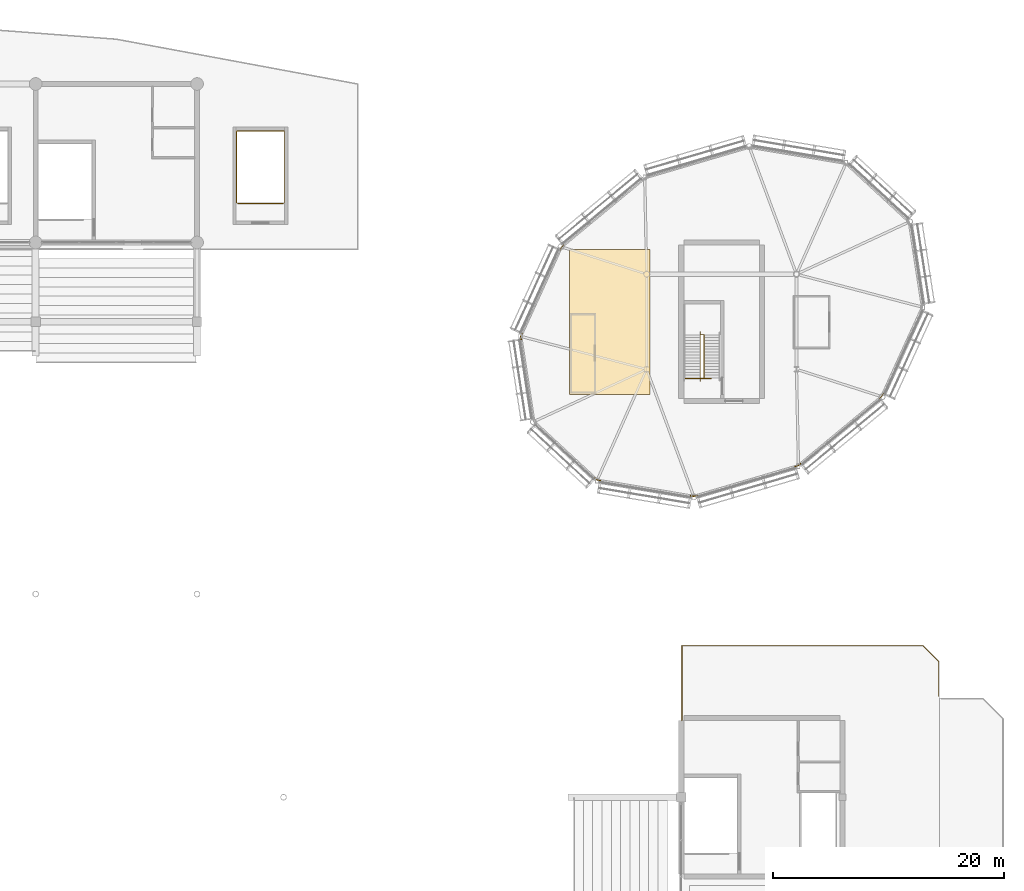
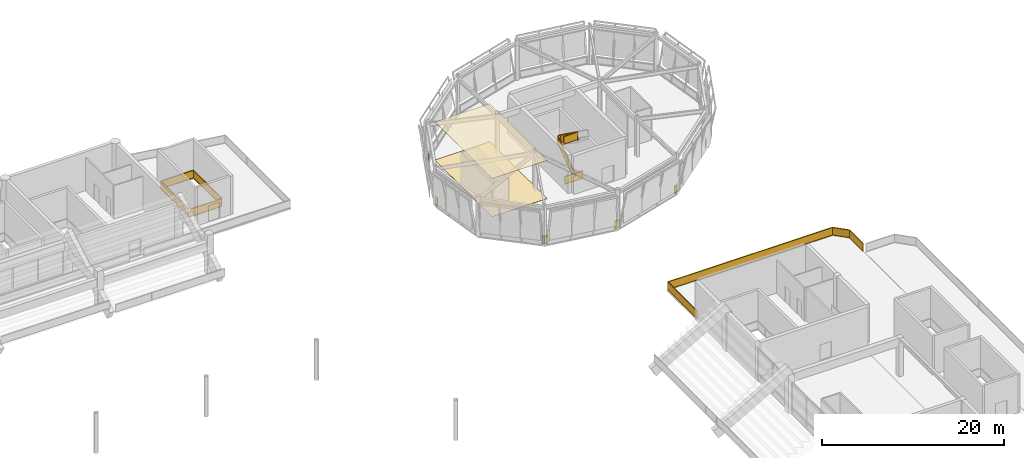
# One storey, part 89 of 90: 11 railings, 2 coverings.
"""IFC4 building model written with IfcOpenShell, lengths in metres."""

from ifc_helpers import new_model, si_unit, direction, frame, origin, origin_2d, place, context, subcontext, project, spatial, polyline, rectangle, outline, extrude, material, layer, layer_set, type_object, element, save


model = new_model("IFC4")

# Units and contexts
model_context = context("Model", 3, precision=1e-05, world=origin(), true_north=direction((0.0, 1.0)))
body_context = subcontext(model_context, "Body", "Model", "MODEL_VIEW")
ifc_project = project(units=[si_unit("LENGTHUNIT", "METRE"), si_unit("AREAUNIT", "SQUARE_METRE"), si_unit("VOLUMEUNIT", "CUBIC_METRE"), si_unit("PLANEANGLEUNIT", "RADIAN"), si_unit("MASSUNIT", "GRAM", prefix="KILO")], contexts=[model_context])

# Site, building, storey
site_placement = place(None, origin())
site = spatial("IfcSite", under=ifc_project, at=site_placement, CompositionType="ELEMENT")
building_placement = place(site_placement, origin())
building = spatial("IfcBuilding", under=site, at=building_placement, Name="Linyun Crest Stadium", CompositionType="ELEMENT")
storey_placement = place(building_placement, frame((0.0, 0.0, 21.0)))
storey = spatial("IfcBuildingStorey", under=building, at=storey_placement, Name="L05", CompositionType="ELEMENT", Elevation=21.0)

# Coverings
ifc_material_1 = material(Name="Anodized aluminium baffle acoustic ceiling", Category="aluminium")
ifc_layer_1 = layer(ifc_material_1, 0.030029296875)
ifc_layer_set_1 = layer_set([ifc_layer_1], Name="Anodized aluminium baffle acoustic ceiling")
covering_type_1 = type_object("IfcCoveringType", Name="CLG02", PredefinedType="CEILING", material=ifc_layer_set_1)
covering_1_placement = place(storey_placement, frame((0.0, 0.0, 5.1201171875)))
element("IfcCovering", 1, at=covering_1_placement, inside=storey, type_object=covering_type_1, Name="Suspended acoustic ceiling CLG02 54", PredefinedType="CEILING", context=body_context, shape_type="SweptSolid", body=[
    extrude(outline(polyline([(60.300048828125, 78.300048828125), (67.300048828125, 78.300048828125), (67.300048828125, 90.89990234375), (60.300048828125, 90.89990234375), (60.300048828125, 78.300048828125)])), origin(), (0.0, 0.0, 1.0), 0.02978515625),
])
ifc_material_2 = material(Name="Terrazzo concourse and hospitality floor finish")
ifc_layer_2 = layer(ifc_material_2, 0.02197265625)
ifc_layer_set_2 = layer_set([ifc_layer_2], Name="Terrazzo concourse and hospitality floor finish")
covering_type_2 = type_object("IfcCoveringType", Name="FLR02", PredefinedType="FLOORING", material=ifc_layer_set_2)
covering_2_placement = place(storey_placement, origin())
element("IfcCovering", 2, at=covering_2_placement, inside=storey, type_object=covering_type_2, Name="Terrazzo flooring FLR02 53", PredefinedType="FLOORING", context=body_context, shape_type="SweptSolid", body=[
    extrude(outline(polyline([(60.300048828125, 78.300048828125), (67.300048828125, 78.300048828125), (67.300048828125, 90.89990234375), (60.300048828125, 90.89990234375), (60.300048828125, 78.300048828125)])), origin(), (0.0, 0.0, 1.0), 0.02197265625),
])

# Railings
ifc_material_3 = material(Name="Galvanized and powder-coated steel bowl safety barrier", Category="steel")
railing_type_1 = type_object("IfcRailingType", Name="GR02", PredefinedType="GUARDRAIL", material=ifc_material_3)
railing_1_placement = place(storey_placement, frame((70.06005859375, 50.02490234375, 0.0)))
element("IfcRailing", 3, at=railing_1_placement, inside=storey, type_object=railing_type_1, Name="Slab edge balustrade GR02 180", PredefinedType="GUARDRAIL", context=body_context, shape_type="SweptSolid", body=[
    extrude(rectangle(XDim=0.06005859375, YDim=0.06005859375, at=origin_2d()), frame((0.0, 0.0, 1.090087890625), z_axis=(0.0, 1.0, 0.0), x_axis=(-1.0, 0.0, 0.0)), (0.0, 0.0, 1.0), 6.5),
    extrude(rectangle(XDim=0.030029296875, YDim=1.0, at=origin_2d()), frame((0.0, 0.0, 0.56005859375), z_axis=(0.0, 1.0, 0.0), x_axis=(-1.0, 0.0, 0.0)), (0.0, 0.0, 1.0), 6.5),
    extrude(rectangle(XDim=0.06005859375, YDim=0.06005859375, at=origin_2d()), frame((0.0, 0.0, 0.030029296875), z_axis=(0.0, 1.0, 0.0), x_axis=(-1.0, 0.0, 0.0)), (0.0, 0.0, 1.0), 6.5),
    extrude(rectangle(XDim=0.06005859375, YDim=0.06005859375, at=origin_2d()), frame((0.0, 6.5, 1.090087890625), z_axis=(1.0, 0.0, 0.0), x_axis=(0.0, 1.0, 0.0)), (0.0, 0.0, 1.0), 20.9150390625),
    extrude(rectangle(XDim=0.030029296875, YDim=1.0, at=origin_2d()), frame((0.0, 6.5, 0.56005859375), z_axis=(1.0, 0.0, 0.0), x_axis=(0.0, 1.0, 0.0)), (0.0, 0.0, 1.0), 20.9150390625),
    extrude(rectangle(XDim=0.06005859375, YDim=0.06005859375, at=origin_2d()), frame((0.0, 6.5, 0.030029296875), z_axis=(1.0, 0.0, 0.0), x_axis=(0.0, 1.0, 0.0)), (0.0, 0.0, 1.0), 20.9150390625),
    extrude(rectangle(XDim=0.06005859375, YDim=0.06005859375, at=origin_2d()), frame((20.9150390625, 6.5, 1.090087890625), z_axis=(0.707106781187, -0.707106781187, 0.0), x_axis=(0.707106781187, 0.707106781187, 0.0)), (0.0, 0.0, 1.0), 1.930419921875),
    extrude(rectangle(XDim=0.030029296875, YDim=1.0, at=origin_2d()), frame((20.9150390625, 6.5, 0.56005859375), z_axis=(0.707106781187, -0.707106781187, 0.0), x_axis=(0.707106781187, 0.707106781187, 0.0)), (0.0, 0.0, 1.0), 1.930419921875),
    extrude(rectangle(XDim=0.06005859375, YDim=0.06005859375, at=origin_2d()), frame((20.9150390625, 6.5, 0.030029296875), z_axis=(0.707106781187, -0.707106781187, 0.0), x_axis=(0.707106781187, 0.707106781187, 0.0)), (0.0, 0.0, 1.0), 1.930419921875),
    extrude(rectangle(XDim=0.06005859375, YDim=0.06005859375, at=origin_2d()), frame((22.280029296875, 5.135009765625, 1.090087890625), z_axis=(0.0, -1.0, 0.0), x_axis=(1.0, 0.0, 0.0)), (0.0, 0.0, 1.0), 2.9990234375),
    extrude(rectangle(XDim=0.030029296875, YDim=1.0, at=origin_2d()), frame((22.280029296875, 5.135009765625, 0.56005859375), z_axis=(0.0, -1.0, 0.0), x_axis=(1.0, 0.0, 0.0)), (0.0, 0.0, 1.0), 2.9990234375),
    extrude(rectangle(XDim=0.06005859375, YDim=0.06005859375, at=origin_2d()), frame((22.280029296875, 5.135009765625, 0.030029296875), z_axis=(0.0, -1.0, 0.0), x_axis=(1.0, 0.0, 0.0)), (0.0, 0.0, 1.0), 2.9990234375),
    extrude(rectangle(XDim=0.050048828125, YDim=0.050048828125, at=origin_2d()), origin(), (0.0, 0.0, 1.0), 1.1201171875),
    extrude(rectangle(XDim=0.050048828125, YDim=0.050048828125, at=origin_2d()), frame((0.0, 3.25, 0.0)), (0.0, 0.0, 1.0), 1.1201171875),
    extrude(rectangle(XDim=0.050048828125, YDim=0.050048828125, at=origin_2d()), frame((0.0, 6.5, 0.0)), (0.0, 0.0, 1.0), 1.1201171875),
    extrude(rectangle(XDim=0.050048828125, YDim=0.050048828125, at=origin_2d()), frame((4.18310546875, 6.5, 0.0)), (0.0, 0.0, 1.0), 1.1201171875),
    extrude(rectangle(XDim=0.050048828125, YDim=0.050048828125, at=origin_2d()), frame((8.365966796875, 6.5, 0.0)), (0.0, 0.0, 1.0), 1.1201171875),
    extrude(rectangle(XDim=0.050048828125, YDim=0.050048828125, at=origin_2d()), frame((12.549072265625, 6.5, 0.0)), (0.0, 0.0, 1.0), 1.1201171875),
    extrude(rectangle(XDim=0.050048828125, YDim=0.050048828125, at=origin_2d()), frame((16.73193359375, 6.5, 0.0)), (0.0, 0.0, 1.0), 1.1201171875),
    extrude(rectangle(XDim=0.050048828125, YDim=0.050048828125, at=origin_2d()), frame((20.9150390625, 6.5, 0.0)), (0.0, 0.0, 1.0), 1.1201171875),
    extrude(rectangle(XDim=0.050048828125, YDim=0.050048828125, at=origin_2d()), frame((22.280029296875, 5.135009765625, 0.0)), (0.0, 0.0, 1.0), 1.1201171875),
    extrude(rectangle(XDim=0.050048828125, YDim=0.050048828125, at=origin_2d()), frame((22.280029296875, 2.135986328125, 0.0)), (0.0, 0.0, 1.0), 1.1201171875),
])
railing_2_placement = place(storey_placement, frame((31.5400390625, 94.889892578125, 0.0)))
element("IfcRailing", 4, at=railing_2_placement, inside=storey, type_object=railing_type_1, Name="Slab edge balustrade GR02 232", PredefinedType="GUARDRAIL", context=body_context, shape_type="SweptSolid", body=[
    extrude(rectangle(XDim=0.06005859375, YDim=0.06005859375, at=origin_2d()), frame((0.0, 0.0, 1.090087890625), z_axis=(1.0, 0.0, 0.0), x_axis=(0.0, 1.0, 0.0)), (0.0, 0.0, 1.0), 3.919921875),
    extrude(rectangle(XDim=0.030029296875, YDim=1.0, at=origin_2d()), frame((0.0, 0.0, 0.56005859375), z_axis=(1.0, 0.0, 0.0), x_axis=(0.0, 1.0, 0.0)), (0.0, 0.0, 1.0), 3.919921875),
    extrude(rectangle(XDim=0.06005859375, YDim=0.06005859375, at=origin_2d()), frame((0.0, 0.0, 0.030029296875), z_axis=(1.0, 0.0, 0.0), x_axis=(0.0, 1.0, 0.0)), (0.0, 0.0, 1.0), 3.919921875),
    extrude(rectangle(XDim=0.050048828125, YDim=0.050048828125, at=origin_2d()), origin(), (0.0, 0.0, 1.0), 1.1201171875),
    extrude(rectangle(XDim=0.050048828125, YDim=0.050048828125, at=origin_2d()), frame((3.919921875, 0.0, 0.0)), (0.0, 0.0, 1.0), 1.1201171875),
])
railing_3_placement = place(storey_placement, frame((87.510986328125, 78.407958984375, 0.0)))
element("IfcRailing", 5, at=railing_3_placement, inside=storey, type_object=railing_type_1, Name="Slab edge balustrade GR02 353", PredefinedType="GUARDRAIL", context=body_context, shape_type="SweptSolid", body=[
    extrude(rectangle(XDim=0.06005859375, YDim=0.06005859375, at=origin_2d()), frame((0.0, 0.0, 1.090087890625), z_axis=(-0.414572445131, -0.910016311798, 0.0), x_axis=(0.910016311798, -0.414572445131, 0.0)), (0.0, 0.0, 1.0), 0.286865234375),
    extrude(rectangle(XDim=0.030029296875, YDim=1.0, at=origin_2d()), frame((0.0, 0.0, 0.56005859375), z_axis=(-0.414572445131, -0.910016311798, 0.0), x_axis=(0.910016311798, -0.414572445131, 0.0)), (0.0, 0.0, 1.0), 0.286865234375),
    extrude(rectangle(XDim=0.06005859375, YDim=0.06005859375, at=origin_2d()), frame((0.0, 0.0, 0.030029296875), z_axis=(-0.414572445131, -0.910016311798, 0.0), x_axis=(0.910016311798, -0.414572445131, 0.0)), (0.0, 0.0, 1.0), 0.286865234375),
    extrude(rectangle(XDim=0.06005859375, YDim=0.06005859375, at=origin_2d()), frame((-0.118896484375, -0.260986328125, 1.090087890625), z_axis=(-0.77066950633, -0.637235052404, 0.0), x_axis=(0.637235052404, -0.77066950633, 0.0)), (0.0, 0.0, 1.0), 0.285400390625),
    extrude(rectangle(XDim=0.030029296875, YDim=1.0, at=origin_2d()), frame((-0.118896484375, -0.260986328125, 0.56005859375), z_axis=(-0.77066950633, -0.637235052404, 0.0), x_axis=(0.637235052404, -0.77066950633, 0.0)), (0.0, 0.0, 1.0), 0.285400390625),
    extrude(rectangle(XDim=0.06005859375, YDim=0.06005859375, at=origin_2d()), frame((-0.118896484375, -0.260986328125, 0.030029296875), z_axis=(-0.77066950633, -0.637235052404, 0.0), x_axis=(0.637235052404, -0.77066950633, 0.0)), (0.0, 0.0, 1.0), 0.285400390625),
    extrude(rectangle(XDim=0.050048828125, YDim=0.050048828125, at=origin_2d()), origin(), (0.0, 0.0, 1.0), 1.1201171875),
    extrude(rectangle(XDim=0.050048828125, YDim=0.050048828125, at=origin_2d()), frame((-0.118896484375, -0.260986328125, 0.0)), (0.0, 0.0, 1.0), 1.1201171875),
    extrude(rectangle(XDim=0.050048828125, YDim=0.050048828125, at=origin_2d()), frame((-0.3388671875, -0.44287109375, 0.0)), (0.0, 0.0, 1.0), 1.1201171875),
])
railing_4_placement = place(storey_placement, frame((80.35888671875, 72.323974609375, 0.0)))
element("IfcRailing", 6, at=railing_4_placement, inside=storey, type_object=railing_type_1, Name="Slab edge balustrade GR02 354", PredefinedType="GUARDRAIL", context=body_context, shape_type="SweptSolid", body=[
    extrude(rectangle(XDim=0.06005859375, YDim=0.06005859375, at=origin_2d()), frame((0.0, 0.0, 1.090087890625), z_axis=(-0.771758653069, -0.635915545818, 0.0), x_axis=(0.635915545818, -0.771758653069, 0.0)), (0.0, 0.0, 1.0), 0.28759765625),
    extrude(rectangle(XDim=0.030029296875, YDim=1.0, at=origin_2d()), frame((0.0, 0.0, 0.56005859375), z_axis=(-0.771758653069, -0.635915545818, 0.0), x_axis=(0.635915545818, -0.771758653069, 0.0)), (0.0, 0.0, 1.0), 0.28759765625),
    extrude(rectangle(XDim=0.06005859375, YDim=0.06005859375, at=origin_2d()), frame((0.0, 0.0, 0.030029296875), z_axis=(-0.771758653069, -0.635915545818, 0.0), x_axis=(0.635915545818, -0.771758653069, 0.0)), (0.0, 0.0, 1.0), 0.28759765625),
    extrude(rectangle(XDim=0.06005859375, YDim=0.06005859375, at=origin_2d()), frame((-0.221923828125, -0.182861328125, 1.090087890625), z_axis=(-0.959446583049, -0.281890500506, 0.0), x_axis=(0.281890500506, -0.959446583049, 0.0)), (0.0, 0.0, 1.0), 0.28759765625),
    extrude(rectangle(XDim=0.030029296875, YDim=1.0, at=origin_2d()), frame((-0.221923828125, -0.182861328125, 0.56005859375), z_axis=(-0.959446583049, -0.281890500506, 0.0), x_axis=(0.281890500506, -0.959446583049, 0.0)), (0.0, 0.0, 1.0), 0.28759765625),
    extrude(rectangle(XDim=0.06005859375, YDim=0.06005859375, at=origin_2d()), frame((-0.221923828125, -0.182861328125, 0.030029296875), z_axis=(-0.959446583049, -0.281890500506, 0.0), x_axis=(0.281890500506, -0.959446583049, 0.0)), (0.0, 0.0, 1.0), 0.28759765625),
    extrude(rectangle(XDim=0.050048828125, YDim=0.050048828125, at=origin_2d()), origin(), (0.0, 0.0, 1.0), 1.1201171875),
    extrude(rectangle(XDim=0.050048828125, YDim=0.050048828125, at=origin_2d()), frame((-0.221923828125, -0.182861328125, 0.0)), (0.0, 0.0, 1.0), 1.1201171875),
    extrude(rectangle(XDim=0.050048828125, YDim=0.050048828125, at=origin_2d()), frame((-0.497802734375, -0.263916015625, 0.0)), (0.0, 0.0, 1.0), 1.1201171875),
])
railing_5_placement = place(storey_placement, frame((71.376953125, 69.56591796875, 0.0)))
element("IfcRailing", 7, at=railing_5_placement, inside=storey, type_object=railing_type_1, Name="Slab edge balustrade GR02 355", PredefinedType="GUARDRAIL", context=body_context, shape_type="SweptSolid", body=[
    extrude(rectangle(XDim=0.06005859375, YDim=0.06005859375, at=origin_2d()), frame((0.0, 0.0, 1.090087890625), z_axis=(-0.959406194526, -0.282027931073, 0.0), x_axis=(0.282027931073, -0.959406194526, 0.0)), (0.0, 0.0, 1.0), 0.28662109375),
    extrude(rectangle(XDim=0.030029296875, YDim=1.0, at=origin_2d()), frame((0.0, 0.0, 0.56005859375), z_axis=(-0.959406194526, -0.282027931073, 0.0), x_axis=(0.282027931073, -0.959406194526, 0.0)), (0.0, 0.0, 1.0), 0.28662109375),
    extrude(rectangle(XDim=0.06005859375, YDim=0.06005859375, at=origin_2d()), frame((0.0, 0.0, 0.030029296875), z_axis=(-0.959406194526, -0.282027931073, 0.0), x_axis=(0.282027931073, -0.959406194526, 0.0)), (0.0, 0.0, 1.0), 0.28662109375),
    extrude(rectangle(XDim=0.06005859375, YDim=0.06005859375, at=origin_2d()), frame((-0.27490234375, -0.080810546875, 1.090087890625), z_axis=(-0.985905166387, 0.167305119144, 0.0), x_axis=(-0.167305119144, -0.985905166387, 0.0)), (0.0, 0.0, 1.0), 0.2861328125),
    extrude(rectangle(XDim=0.030029296875, YDim=1.0, at=origin_2d()), frame((-0.27490234375, -0.080810546875, 0.56005859375), z_axis=(-0.985905166387, 0.167305119144, 0.0), x_axis=(-0.167305119144, -0.985905166387, 0.0)), (0.0, 0.0, 1.0), 0.2861328125),
    extrude(rectangle(XDim=0.06005859375, YDim=0.06005859375, at=origin_2d()), frame((-0.27490234375, -0.080810546875, 0.030029296875), z_axis=(-0.985905166387, 0.167305119144, 0.0), x_axis=(-0.167305119144, -0.985905166387, 0.0)), (0.0, 0.0, 1.0), 0.2861328125),
    extrude(rectangle(XDim=0.050048828125, YDim=0.050048828125, at=origin_2d()), origin(), (0.0, 0.0, 1.0), 1.1201171875),
    extrude(rectangle(XDim=0.050048828125, YDim=0.050048828125, at=origin_2d()), frame((-0.27490234375, -0.080810546875, 0.0)), (0.0, 0.0, 1.0), 1.1201171875),
    extrude(rectangle(XDim=0.050048828125, YDim=0.050048828125, at=origin_2d()), frame((-0.556884765625, -0.032958984375, 0.0)), (0.0, 0.0, 1.0), 1.1201171875),
])
railing_6_placement = place(storey_placement, frame((62.992919921875, 70.843994140625, 0.0)))
element("IfcRailing", 8, at=railing_6_placement, inside=storey, type_object=railing_type_1, Name="Slab edge balustrade GR02 356", PredefinedType="GUARDRAIL", context=body_context, shape_type="SweptSolid", body=[
    extrude(rectangle(XDim=0.06005859375, YDim=0.06005859375, at=origin_2d()), frame((0.0, 0.0, 1.090087890625), z_axis=(-0.986627241764, 0.1629929011, 0.0), x_axis=(-0.1629929011, -0.986627241764, 0.0)), (0.0, 0.0, 1.0), 0.281494140625),
    extrude(rectangle(XDim=0.030029296875, YDim=1.0, at=origin_2d()), frame((0.0, 0.0, 0.56005859375), z_axis=(-0.986627241764, 0.1629929011, 0.0), x_axis=(-0.1629929011, -0.986627241764, 0.0)), (0.0, 0.0, 1.0), 0.281494140625),
    extrude(rectangle(XDim=0.06005859375, YDim=0.06005859375, at=origin_2d()), frame((0.0, 0.0, 0.030029296875), z_axis=(-0.986627241764, 0.1629929011, 0.0), x_axis=(-0.1629929011, -0.986627241764, 0.0)), (0.0, 0.0, 1.0), 0.281494140625),
    extrude(rectangle(XDim=0.06005859375, YDim=0.06005859375, at=origin_2d()), frame((-0.27783203125, 0.0458984375, 1.090087890625), z_axis=(-0.734572019785, 0.678530727196, 0.0), x_axis=(-0.678530727196, -0.734572019785, 0.0)), (0.0, 0.0, 1.0), 0.283203125),
    extrude(rectangle(XDim=0.030029296875, YDim=1.0, at=origin_2d()), frame((-0.27783203125, 0.0458984375, 0.56005859375), z_axis=(-0.734572019785, 0.678530727196, 0.0), x_axis=(-0.678530727196, -0.734572019785, 0.0)), (0.0, 0.0, 1.0), 0.283203125),
    extrude(rectangle(XDim=0.06005859375, YDim=0.06005859375, at=origin_2d()), frame((-0.27783203125, 0.0458984375, 0.030029296875), z_axis=(-0.734572019785, 0.678530727196, 0.0), x_axis=(-0.678530727196, -0.734572019785, 0.0)), (0.0, 0.0, 1.0), 0.283203125),
    extrude(rectangle(XDim=0.050048828125, YDim=0.050048828125, at=origin_2d()), origin(), (0.0, 0.0, 1.0), 1.1201171875),
    extrude(rectangle(XDim=0.050048828125, YDim=0.050048828125, at=origin_2d()), frame((-0.27783203125, 0.0458984375, 0.0)), (0.0, 0.0, 1.0), 1.1201171875),
    extrude(rectangle(XDim=0.050048828125, YDim=0.050048828125, at=origin_2d()), frame((-0.48583984375, 0.238037109375, 0.0)), (0.0, 0.0, 1.0), 1.1201171875),
])
railing_7_placement = place(storey_placement, frame((56.1259765625, 83.083984375, 0.0)))
element("IfcRailing", 9, at=railing_7_placement, inside=storey, type_object=railing_type_1, Name="Slab edge balustrade GR02 358", PredefinedType="GUARDRAIL", context=body_context, shape_type="SweptSolid", body=[
    extrude(rectangle(XDim=0.06005859375, YDim=0.06005859375, at=origin_2d()), frame((0.0, 0.0, 1.090087890625), z_axis=(-0.1521871378, 0.988351696052, 0.0), x_axis=(-0.988351696052, -0.1521871378, 0.0)), (0.0, 0.0, 1.0), 0.2822265625),
    extrude(rectangle(XDim=0.030029296875, YDim=1.0, at=origin_2d()), frame((0.0, 0.0, 0.56005859375), z_axis=(-0.1521871378, 0.988351696052, 0.0), x_axis=(-0.988351696052, -0.1521871378, 0.0)), (0.0, 0.0, 1.0), 0.2822265625),
    extrude(rectangle(XDim=0.06005859375, YDim=0.06005859375, at=origin_2d()), frame((0.0, 0.0, 0.030029296875), z_axis=(-0.1521871378, 0.988351696052, 0.0), x_axis=(-0.988351696052, -0.1521871378, 0.0)), (0.0, 0.0, 1.0), 0.2822265625),
    extrude(rectangle(XDim=0.06005859375, YDim=0.06005859375, at=origin_2d()), frame((-0.04296875, 0.279052734375, 1.090087890625), z_axis=(0.414063441435, 0.910248024698, 0.0), x_axis=(-0.910248024698, 0.414063441435, 0.0)), (0.0, 0.0, 1.0), 0.282470703125),
    extrude(rectangle(XDim=0.030029296875, YDim=1.0, at=origin_2d()), frame((-0.04296875, 0.279052734375, 0.56005859375), z_axis=(0.414063441435, 0.910248024698, 0.0), x_axis=(-0.910248024698, 0.414063441435, 0.0)), (0.0, 0.0, 1.0), 0.282470703125),
    extrude(rectangle(XDim=0.06005859375, YDim=0.06005859375, at=origin_2d()), frame((-0.04296875, 0.279052734375, 0.030029296875), z_axis=(0.414063441435, 0.910248024698, 0.0), x_axis=(-0.910248024698, 0.414063441435, 0.0)), (0.0, 0.0, 1.0), 0.282470703125),
    extrude(rectangle(XDim=0.050048828125, YDim=0.050048828125, at=origin_2d()), origin(), (0.0, 0.0, 1.0), 1.1201171875),
    extrude(rectangle(XDim=0.050048828125, YDim=0.050048828125, at=origin_2d()), frame((-0.04296875, 0.279052734375, 0.0)), (0.0, 0.0, 1.0), 1.1201171875),
    extrude(rectangle(XDim=0.050048828125, YDim=0.050048828125, at=origin_2d()), frame((0.073974609375, 0.5361328125, 0.0)), (0.0, 0.0, 1.0), 1.1201171875),
])
railing_8_placement = place(storey_placement, frame((59.489013671875, 90.842041015625, 0.0)))
element("IfcRailing", 10, at=railing_8_placement, inside=storey, type_object=railing_type_1, Name="Slab edge balustrade GR02 359", PredefinedType="GUARDRAIL", context=body_context, shape_type="SweptSolid", body=[
    extrude(rectangle(XDim=0.06005859375, YDim=0.06005859375, at=origin_2d()), frame((0.0, 0.0, 1.090087890625), z_axis=(0.414572445131, 0.910016311798, 0.0), x_axis=(-0.910016311798, 0.414572445131, 0.0)), (0.0, 0.0, 1.0), 0.286865234375),
    extrude(rectangle(XDim=0.030029296875, YDim=1.0, at=origin_2d()), frame((0.0, 0.0, 0.56005859375), z_axis=(0.414572445131, 0.910016311798, 0.0), x_axis=(-0.910016311798, 0.414572445131, 0.0)), (0.0, 0.0, 1.0), 0.286865234375),
    extrude(rectangle(XDim=0.06005859375, YDim=0.06005859375, at=origin_2d()), frame((0.0, 0.0, 0.030029296875), z_axis=(0.414572445131, 0.910016311798, 0.0), x_axis=(-0.910016311798, 0.414572445131, 0.0)), (0.0, 0.0, 1.0), 0.286865234375),
    extrude(rectangle(XDim=0.06005859375, YDim=0.06005859375, at=origin_2d()), frame((0.118896484375, 0.260986328125, 1.090087890625), z_axis=(0.77066950633, 0.637235052404, 0.0), x_axis=(-0.637235052404, 0.77066950633, 0.0)), (0.0, 0.0, 1.0), 0.285400390625),
    extrude(rectangle(XDim=0.030029296875, YDim=1.0, at=origin_2d()), frame((0.118896484375, 0.260986328125, 0.56005859375), z_axis=(0.77066950633, 0.637235052404, 0.0), x_axis=(-0.637235052404, 0.77066950633, 0.0)), (0.0, 0.0, 1.0), 0.285400390625),
    extrude(rectangle(XDim=0.06005859375, YDim=0.06005859375, at=origin_2d()), frame((0.118896484375, 0.260986328125, 0.030029296875), z_axis=(0.77066950633, 0.637235052404, 0.0), x_axis=(-0.637235052404, 0.77066950633, 0.0)), (0.0, 0.0, 1.0), 0.285400390625),
    extrude(rectangle(XDim=0.050048828125, YDim=0.050048828125, at=origin_2d()), origin(), (0.0, 0.0, 1.0), 1.1201171875),
    extrude(rectangle(XDim=0.050048828125, YDim=0.050048828125, at=origin_2d()), frame((0.118896484375, 0.260986328125, 0.0)), (0.0, 0.0, 1.0), 1.1201171875),
    extrude(rectangle(XDim=0.050048828125, YDim=0.050048828125, at=origin_2d()), frame((0.3388671875, 0.44287109375, 0.0)), (0.0, 0.0, 1.0), 1.1201171875),
])
railing_9_placement = place(storey_placement, frame((70.364990234375, 79.7099609375, 0.0)))
element("IfcRailing", 11, at=railing_9_placement, inside=storey, type_object=railing_type_1, Name="Slab edge balustrade GR02 364", PredefinedType="GUARDRAIL", context=body_context, shape_type="SweptSolid", body=[
    extrude(rectangle(XDim=0.06005859375, YDim=0.06005859375, at=origin_2d()), frame((0.0, 0.0, 1.090087890625), z_axis=(1.0, 0.0, 0.0), x_axis=(0.0, 1.0, 0.0)), (0.0, 0.0, 1.0), 2.235107421875),
    extrude(rectangle(XDim=0.030029296875, YDim=1.0, at=origin_2d()), frame((0.0, 0.0, 0.56005859375), z_axis=(1.0, 0.0, 0.0), x_axis=(0.0, 1.0, 0.0)), (0.0, 0.0, 1.0), 2.235107421875),
    extrude(rectangle(XDim=0.06005859375, YDim=0.06005859375, at=origin_2d()), frame((0.0, 0.0, 0.030029296875), z_axis=(1.0, 0.0, 0.0), x_axis=(0.0, 1.0, 0.0)), (0.0, 0.0, 1.0), 2.235107421875),
    extrude(rectangle(XDim=0.050048828125, YDim=0.050048828125, at=origin_2d()), origin(), (0.0, 0.0, 1.0), 1.1201171875),
    extrude(rectangle(XDim=0.050048828125, YDim=0.050048828125, at=origin_2d()), frame((2.235107421875, 0.0, 0.0)), (0.0, 0.0, 1.0), 1.1201171875),
])
ifc_material_4 = material(Name="Painted steel stairwell safety guard", Category="steel")
railing_type_2 = type_object("IfcRailingType", Name="GR03", PredefinedType="GUARDRAIL", material=ifc_material_4)
railing_10_placement = place(storey_placement, frame((71.64501953125, 79.719970703125, 0.0)))
element("IfcRailing", 12, at=railing_10_placement, inside=storey, type_object=railing_type_2, Name="STR-12-L05 inner well guard", PredefinedType="GUARDRAIL", context=body_context, shape_type="SweptSolid", body=[
    extrude(rectangle(XDim=0.06005859375, YDim=0.06005859375, at=origin_2d()), frame((0.0, 0.0, 1.090087890625), z_axis=(0.0, 0.813010693788, 0.582248754216), x_axis=(-1.0, 0.0, 0.0)), (0.0, 0.0, 1.0), 4.63720703125),
    extrude(rectangle(XDim=0.030029296875, YDim=1.0, at=origin_2d()), frame((0.0, 0.0, 0.56005859375), z_axis=(0.0, 0.813010693788, 0.582248754216), x_axis=(-1.0, 0.0, 0.0)), (0.0, 0.0, 1.0), 4.63720703125),
    extrude(rectangle(XDim=0.06005859375, YDim=0.06005859375, at=origin_2d()), frame((0.0, 0.0, 0.030029296875), z_axis=(0.0, 0.813010693788, 0.582248754216), x_axis=(-1.0, 0.0, 0.0)), (0.0, 0.0, 1.0), 4.63720703125),
    extrude(rectangle(XDim=0.06005859375, YDim=0.06005859375, at=origin_2d()), frame((0.0, 3.77001953125, 3.7900390625), z_axis=(1.0, 0.0, 0.0), x_axis=(0.0, 1.0, 0.0)), (0.0, 0.0, 1.0), 0.3349609375),
    extrude(rectangle(XDim=0.030029296875, YDim=1.0, at=origin_2d()), frame((0.0, 3.77001953125, 3.260009765625), z_axis=(1.0, 0.0, 0.0), x_axis=(0.0, 1.0, 0.0)), (0.0, 0.0, 1.0), 0.3349609375),
    extrude(rectangle(XDim=0.06005859375, YDim=0.06005859375, at=origin_2d()), frame((0.0, 3.77001953125, 2.72998046875), z_axis=(1.0, 0.0, 0.0), x_axis=(0.0, 1.0, 0.0)), (0.0, 0.0, 1.0), 0.3349609375),
    extrude(rectangle(XDim=0.06005859375, YDim=0.06005859375, at=origin_2d()), frame((0.3349609375, 3.77001953125, 3.7900390625), z_axis=(0.0, -0.813010693788, 0.582248754216), x_axis=(1.0, 0.0, 0.0)), (0.0, 0.0, 1.0), 4.63720703125),
    extrude(rectangle(XDim=0.030029296875, YDim=1.0, at=origin_2d()), frame((0.3349609375, 3.77001953125, 3.260009765625), z_axis=(0.0, -0.813010693788, 0.582248754216), x_axis=(1.0, 0.0, 0.0)), (0.0, 0.0, 1.0), 4.63720703125),
    extrude(rectangle(XDim=0.06005859375, YDim=0.06005859375, at=origin_2d()), frame((0.3349609375, 3.77001953125, 2.72998046875), z_axis=(0.0, -0.813010693788, 0.582248754216), x_axis=(1.0, 0.0, 0.0)), (0.0, 0.0, 1.0), 4.63720703125),
    extrude(rectangle(XDim=0.06005859375, YDim=0.06005859375, at=origin_2d()), frame((0.3349609375, 0.0, 6.489990234375), z_axis=(-1.0, 0.0, 0.0), x_axis=(0.0, -1.0, 0.0)), (0.0, 0.0, 1.0), 1.73486328125),
    extrude(rectangle(XDim=0.030029296875, YDim=1.0, at=origin_2d()), frame((0.3349609375, 0.0, 5.9599609375), z_axis=(-1.0, 0.0, 0.0), x_axis=(0.0, -1.0, 0.0)), (0.0, 0.0, 1.0), 1.73486328125),
    extrude(rectangle(XDim=0.06005859375, YDim=0.06005859375, at=origin_2d()), frame((0.3349609375, 0.0, 5.429931640625), z_axis=(-1.0, 0.0, 0.0), x_axis=(0.0, -1.0, 0.0)), (0.0, 0.0, 1.0), 1.73486328125),
    extrude(rectangle(XDim=0.050048828125, YDim=0.050048828125, at=origin_2d()), origin(), (0.0, 0.0, 1.0), 1.1201171875),
    extrude(rectangle(XDim=0.050048828125, YDim=0.050048828125, at=origin_2d()), frame((0.0, 1.256591796875, 0.89990234375)), (0.0, 0.0, 1.0), 1.1201171875),
    extrude(rectangle(XDim=0.050048828125, YDim=0.050048828125, at=origin_2d()), frame((0.0, 2.513427734375, 1.800048828125)), (0.0, 0.0, 1.0), 1.1201171875),
    extrude(rectangle(XDim=0.050048828125, YDim=0.050048828125, at=origin_2d()), frame((0.0, 3.77001953125, 2.699951171875)), (0.0, 0.0, 1.0), 1.1201171875),
    extrude(rectangle(XDim=0.050048828125, YDim=0.050048828125, at=origin_2d()), frame((0.3349609375, 3.77001953125, 2.699951171875)), (0.0, 0.0, 1.0), 1.1201171875),
    extrude(rectangle(XDim=0.050048828125, YDim=0.050048828125, at=origin_2d()), frame((0.3349609375, 2.513427734375, 3.599853515625)), (0.0, 0.0, 1.0), 1.1201171875),
    extrude(rectangle(XDim=0.050048828125, YDim=0.050048828125, at=origin_2d()), frame((0.3349609375, 1.256591796875, 4.5)), (0.0, 0.0, 1.0), 1.1201171875),
    extrude(rectangle(XDim=0.050048828125, YDim=0.050048828125, at=origin_2d()), frame((0.3349609375, 0.0, 5.39990234375)), (0.0, 0.0, 1.0), 1.1201171875),
    extrude(rectangle(XDim=0.050048828125, YDim=0.050048828125, at=origin_2d()), frame((-1.39990234375, 0.0, 5.39990234375)), (0.0, 0.0, 1.0), 1.1201171875),
])
railing_11_placement = place(storey_placement, frame((31.429931640625, 94.929931640625, 0.0)))
element("IfcRailing", 13, at=railing_11_placement, inside=storey, type_object=railing_type_2, Name="STR-26-L04 top well guard", PredefinedType="GUARDRAIL", context=body_context, shape_type="SweptSolid", body=[
    extrude(rectangle(XDim=0.06005859375, YDim=0.06005859375, at=origin_2d()), frame((0.0, 0.0, 1.090087890625), z_axis=(0.0, 1.0, 0.0), x_axis=(-1.0, 0.0, 0.0)), (0.0, 0.0, 1.0), 6.239990234375),
    extrude(rectangle(XDim=0.030029296875, YDim=1.0, at=origin_2d()), frame((0.0, 0.0, 0.56005859375), z_axis=(0.0, 1.0, 0.0), x_axis=(-1.0, 0.0, 0.0)), (0.0, 0.0, 1.0), 6.239990234375),
    extrude(rectangle(XDim=0.06005859375, YDim=0.06005859375, at=origin_2d()), frame((0.0, 0.0, 0.030029296875), z_axis=(0.0, 1.0, 0.0), x_axis=(-1.0, 0.0, 0.0)), (0.0, 0.0, 1.0), 6.239990234375),
    extrude(rectangle(XDim=0.06005859375, YDim=0.06005859375, at=origin_2d()), frame((0.0, 6.239990234375, 1.090087890625), z_axis=(1.0, 0.0, 0.0), x_axis=(0.0, 1.0, 0.0)), (0.0, 0.0, 1.0), 4.14013671875),
    extrude(rectangle(XDim=0.030029296875, YDim=1.0, at=origin_2d()), frame((0.0, 6.239990234375, 0.56005859375), z_axis=(1.0, 0.0, 0.0), x_axis=(0.0, 1.0, 0.0)), (0.0, 0.0, 1.0), 4.14013671875),
    extrude(rectangle(XDim=0.06005859375, YDim=0.06005859375, at=origin_2d()), frame((0.0, 6.239990234375, 0.030029296875), z_axis=(1.0, 0.0, 0.0), x_axis=(0.0, 1.0, 0.0)), (0.0, 0.0, 1.0), 4.14013671875),
    extrude(rectangle(XDim=0.06005859375, YDim=0.06005859375, at=origin_2d()), frame((4.14013671875, 6.239990234375, 1.090087890625), z_axis=(0.0, -1.0, 0.0), x_axis=(1.0, 0.0, 0.0)), (0.0, 0.0, 1.0), 6.239990234375),
    extrude(rectangle(XDim=0.030029296875, YDim=1.0, at=origin_2d()), frame((4.14013671875, 6.239990234375, 0.56005859375), z_axis=(0.0, -1.0, 0.0), x_axis=(1.0, 0.0, 0.0)), (0.0, 0.0, 1.0), 6.239990234375),
    extrude(rectangle(XDim=0.06005859375, YDim=0.06005859375, at=origin_2d()), frame((4.14013671875, 6.239990234375, 0.030029296875), z_axis=(0.0, -1.0, 0.0), x_axis=(1.0, 0.0, 0.0)), (0.0, 0.0, 1.0), 6.239990234375),
    extrude(rectangle(XDim=0.050048828125, YDim=0.050048828125, at=origin_2d()), origin(), (0.0, 0.0, 1.0), 1.1201171875),
    extrude(rectangle(XDim=0.050048828125, YDim=0.050048828125, at=origin_2d()), frame((0.0, 1.56005859375, 0.0)), (0.0, 0.0, 1.0), 1.1201171875),
    extrude(rectangle(XDim=0.050048828125, YDim=0.050048828125, at=origin_2d()), frame((0.0, 3.1201171875, 0.0)), (0.0, 0.0, 1.0), 1.1201171875),
    extrude(rectangle(XDim=0.050048828125, YDim=0.050048828125, at=origin_2d()), frame((0.0, 4.679931640625, 0.0)), (0.0, 0.0, 1.0), 1.1201171875),
    extrude(rectangle(XDim=0.050048828125, YDim=0.050048828125, at=origin_2d()), frame((0.0, 6.239990234375, 0.0)), (0.0, 0.0, 1.0), 1.1201171875),
    extrude(rectangle(XDim=0.050048828125, YDim=0.050048828125, at=origin_2d()), frame((1.380126953125, 6.239990234375, 0.0)), (0.0, 0.0, 1.0), 1.1201171875),
    extrude(rectangle(XDim=0.050048828125, YDim=0.050048828125, at=origin_2d()), frame((2.760009765625, 6.239990234375, 0.0)), (0.0, 0.0, 1.0), 1.1201171875),
    extrude(rectangle(XDim=0.050048828125, YDim=0.050048828125, at=origin_2d()), frame((4.14013671875, 6.239990234375, 0.0)), (0.0, 0.0, 1.0), 1.1201171875),
    extrude(rectangle(XDim=0.050048828125, YDim=0.050048828125, at=origin_2d()), frame((4.14013671875, 4.679931640625, 0.0)), (0.0, 0.0, 1.0), 1.1201171875),
    extrude(rectangle(XDim=0.050048828125, YDim=0.050048828125, at=origin_2d()), frame((4.14013671875, 3.1201171875, 0.0)), (0.0, 0.0, 1.0), 1.1201171875),
    extrude(rectangle(XDim=0.050048828125, YDim=0.050048828125, at=origin_2d()), frame((4.14013671875, 1.56005859375, 0.0)), (0.0, 0.0, 1.0), 1.1201171875),
    extrude(rectangle(XDim=0.050048828125, YDim=0.050048828125, at=origin_2d()), frame((4.14013671875, 0.0, 0.0)), (0.0, 0.0, 1.0), 1.1201171875),
])

save(model, "model.ifc")
